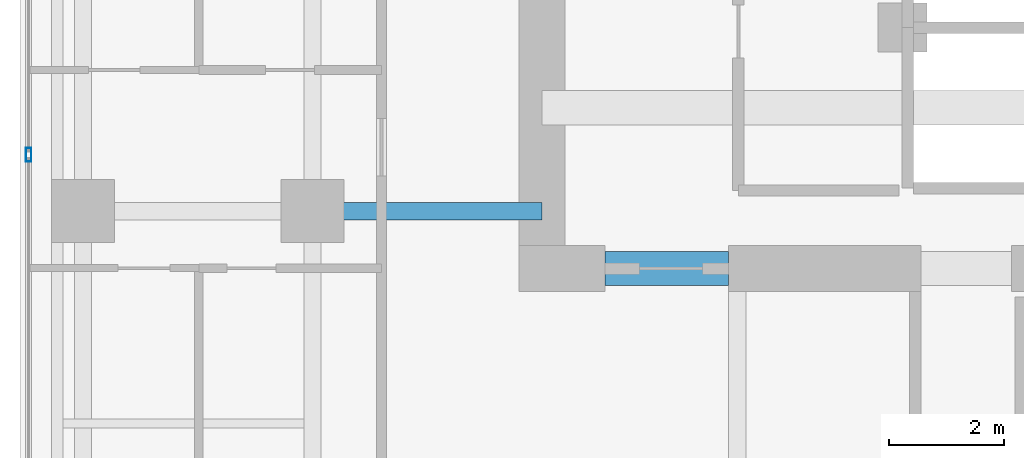
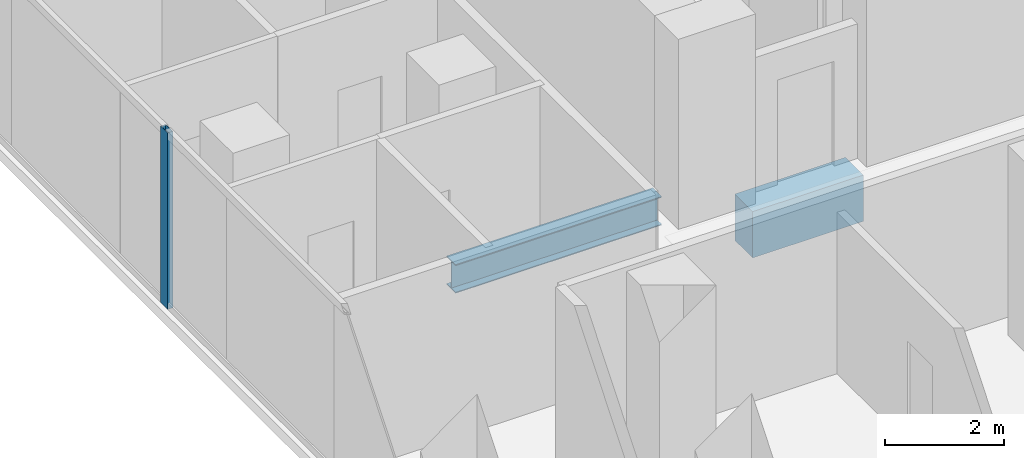
# One storey, part 6 of 27: 2 beams, 1 member, 1 element without a shape of its own.
"""IFC4 building model written with IfcOpenShell, lengths in metres."""

from ifc_helpers import new_model, si_unit, direction, frame, origin, origin_2d, place, context, subcontext, project, spatial, rectangle, hollow_rectangle, i_section, extrude, material, layer, layer_set, material_profile, profile_set, type_object, element, aggregate, save


model = new_model("IFC4")

# Units and contexts
model_context = context("Model", 3, precision=1e-05, world=origin(), true_north=direction((0.0, 1.0)))
body_context = subcontext(model_context, "Body", "Model", "MODEL_VIEW")
ifc_project = project(units=[si_unit("LENGTHUNIT", "METRE"), si_unit("AREAUNIT", "SQUARE_METRE"), si_unit("VOLUMEUNIT", "CUBIC_METRE"), si_unit("PLANEANGLEUNIT", "RADIAN"), si_unit("MASSUNIT", "GRAM", prefix="KILO")], contexts=[model_context])

# Site, building, storey
site_placement = place(None, origin())
site = spatial("IfcSite", under=ifc_project, at=site_placement, CompositionType="ELEMENT")
building_placement = place(site_placement, origin())
building = spatial("IfcBuilding", under=site, at=building_placement, Name="Khorvyn Point Tower", CompositionType="ELEMENT")
storey_placement = place(building_placement, frame((0.0, 0.0, 164.10009765625)))
storey = spatial("IfcBuildingStorey", under=building, at=storey_placement, Name="L40", CompositionType="ELEMENT", Elevation=164.10009765625)

# Curtain wall, member
ifc_material_1 = material(Name="Anodised aluminium 6063-T6 and laminated Low-E glass", Category="aluminium")
ifc_layer = layer(ifc_material_1, 0.18994140625)
ifc_layer_set = layer_set([ifc_layer], Name="Stick-Built Acoustic Curtain Wall CW-SYS-03")
curtain_wall_type = type_object("IfcCurtainWallType", Name="Stick-Built Acoustic Curtain Wall CW-SYS-03", PredefinedType="NOTDEFINED", material=ifc_layer_set)
curtain_wall_placement = place(storey_placement, origin())
curtain_wall = element("IfcCurtainWall", 1, at=curtain_wall_placement, inside=storey, type_object=curtain_wall_type, Name="Curtain Wall", PredefinedType="NOTDEFINED")
ifc_material_2 = material(Name="Anodised aluminium 6063-T6", Category="aluminium")
ifc_material_profile_1 = material_profile(ifc_material_2, hollow_rectangle(XDim=0.10009765625, YDim=0.239990234375, WallThickness=0.0048828125, at=origin_2d()))
ifc_profile_set_1 = profile_set([ifc_material_profile_1], Name="Anodised aluminium 6063-T6 ALU-MUL-100x240")
member_type = type_object("IfcMemberType", Name="Anodised Aluminium 6063-T6 Mullion ALU-MUL-100x240", PredefinedType="MULLION", material=ifc_profile_set_1)
member_placement = place(storey_placement, frame((-19.75, -6.416748046875, 0.0), z_axis=(0.0, 0.0, 1.0), x_axis=(-1.0, 0.0, 0.0)))
member = element("IfcMember", 2, at=member_placement, type_object=member_type, Name="Transom", PredefinedType="MULLION", context=body_context, shape_type="SweptSolid", body=[
    extrude(hollow_rectangle(XDim=0.10009765625, YDim=0.239990234375, WallThickness=0.0048828125, at=origin_2d()), origin(), (0.0, 0.0, 1.0), 3.619873046875),
])
aggregate(curtain_wall, [member])

# Beams
ifc_material_3 = material(Name="Concrete C50/60", Category="concrete")
ifc_material_profile_2 = material_profile(ifc_material_3, rectangle(XDim=0.60009765625, YDim=0.949951171875, at=origin_2d()))
ifc_profile_set_2 = profile_set([ifc_material_profile_2], Name="Concrete C50/60 RC600x950")
beam_type_1 = type_object("IfcBeamType", Name="Concrete C50/60 Beam RC600x950", PredefinedType="BEAM", material=ifc_profile_set_2)
beam_1_placement = place(storey_placement, frame((-9.699951171875, -8.39990234375, -0.695068359375), z_axis=(1.0, 0.0, 0.0), x_axis=(0.0, 1.0, 0.0)))
element("IfcBeam", 3, at=beam_1_placement, inside=storey, type_object=beam_type_1, Name="L40 Core Southwest Portal Coupling Beam", PredefinedType="BEAM", context=body_context, shape_type="SweptSolid", body=[
    extrude(rectangle(XDim=0.60009765625, YDim=0.949951171875, at=origin_2d()), origin(), (0.0, 0.0, 1.0), 2.14990234375),
])
ifc_material_4 = material(Name="Steel S355", Category="steel")
ifc_material_profile_3 = material_profile(ifc_material_4, i_section(OverallWidth=0.300048828125, OverallDepth=0.587890625, WebThickness=0.011962890625, FlangeThickness=0.02001953125, at=origin_2d()))
ifc_profile_set_3 = profile_set([ifc_material_profile_3], Name="Steel S355 H588x300x12x20")
beam_type_2 = type_object("IfcBeamType", Name="Steel S355 Beam H588x300x12x20", PredefinedType="BEAM", material=ifc_profile_set_3)
beam_2_placement = place(storey_placement, frame((-14.800048828125, -7.39990234375, -0.51416015625), z_axis=(1.0, 0.0, 0.0), x_axis=(0.0, 1.0, 0.0)))
element("IfcBeam", 4, at=beam_2_placement, inside=storey, type_object=beam_type_2, Name="Beam", PredefinedType="BEAM", context=body_context, shape_type="SweptSolid", body=[
    extrude(i_section(OverallWidth=0.300048828125, OverallDepth=0.587890625, WebThickness=0.011962890625, FlangeThickness=0.02001953125, at=origin_2d()), origin(), (0.0, 0.0, 1.0), 4.0),
])

save(model, "model.ifc")
